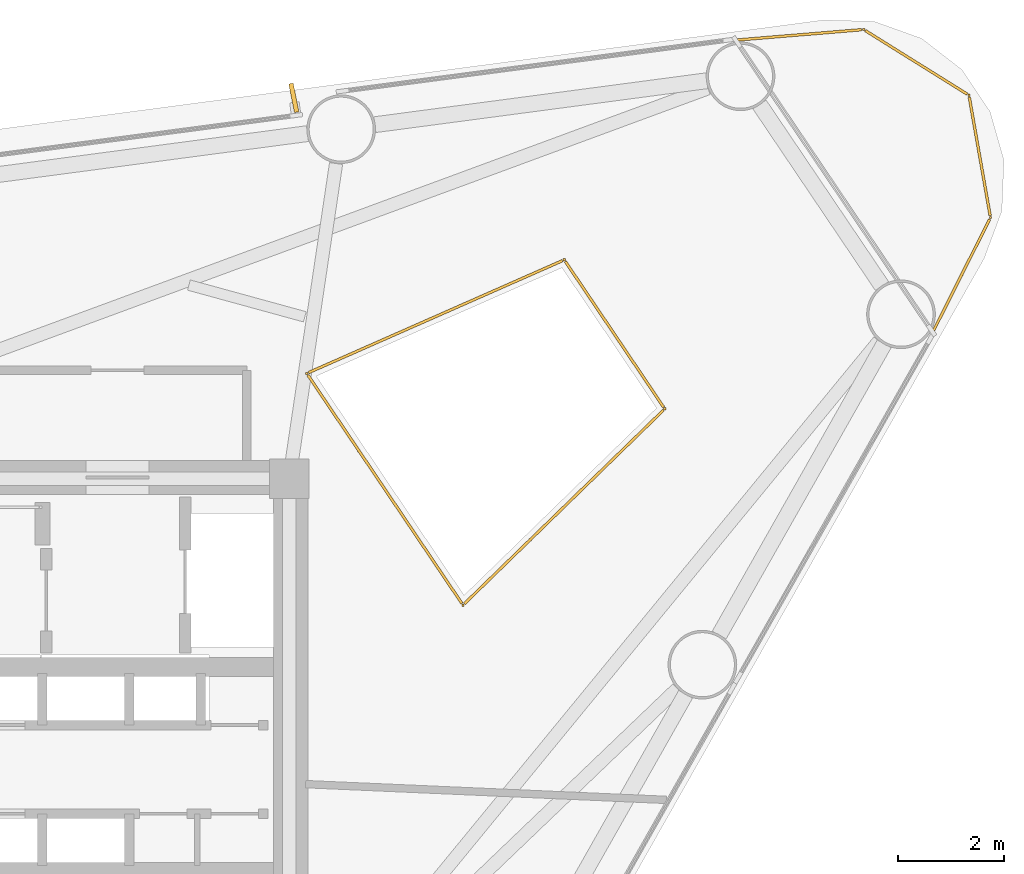
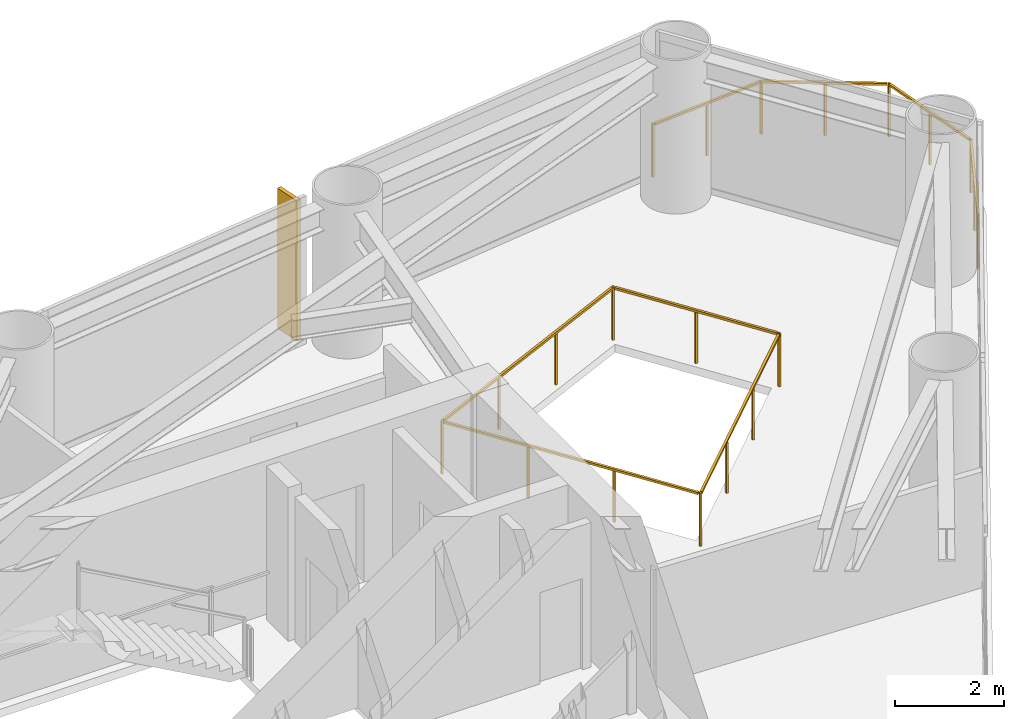
# One storey, part 9 of 9: 2 railings, 1 shading device.
"""IFC4 building model written with IfcOpenShell, lengths in metres."""

from ifc_helpers import new_model, si_unit, direction, frame, origin, origin_2d, place, context, subcontext, project, spatial, rectangle, extrude, source, transform, mapped, material, material_profile, profile_set, type_object, element, save


model = new_model("IFC4")

# Units and contexts
model_context = context("Model", 3, precision=1e-05, world=origin(), true_north=direction((0.0, 1.0)))
body_context = subcontext(model_context, "Body", "Model", "MODEL_VIEW")
ifc_project = project(units=[si_unit("LENGTHUNIT", "METRE"), si_unit("AREAUNIT", "SQUARE_METRE"), si_unit("VOLUMEUNIT", "CUBIC_METRE"), si_unit("PLANEANGLEUNIT", "RADIAN"), si_unit("MASSUNIT", "GRAM", prefix="KILO")], contexts=[model_context])

# Site, building, storey
site_placement = place(None, origin())
site = spatial("IfcSite", under=ifc_project, at=site_placement, CompositionType="ELEMENT")
building_placement = place(site_placement, origin())
building = spatial("IfcBuilding", under=site, at=building_placement, Name="Yunling Apex Tower", CompositionType="ELEMENT")
storey_placement = place(building_placement, frame((0.0, 0.0, 176.0)))
storey = spatial("IfcBuildingStorey", under=building, at=storey_placement, Name="L43", CompositionType="ELEMENT", Elevation=176.0)

# Railings
ifc_material = material(Name="Bronze anodised aluminium", Category="aluminium")
railing_type = type_object("IfcRailingType", Name="RL-BAL-1200", PredefinedType="BALUSTRADE", material=ifc_material)
railing_1_placement = place(storey_placement, frame((14.496337890625, 13.798095703125, 0.0)))
element("IfcRailing", 1, at=railing_1_placement, inside=storey, type_object=railing_type, Name="RL-CRNSILL-L43-1", PredefinedType="BALUSTRADE", context=body_context, shape_type="SweptSolid", body=[
    extrude(rectangle(XDim=0.0439453125, YDim=0.0439453125, at=origin_2d()), origin(), (0.0, 0.0, 1.0), 1.199951171875),
    extrude(rectangle(XDim=0.0439453125, YDim=0.0439453125, at=origin_2d()), frame((2.421142578125, 0.2001953125, 0.0)), (0.0, 0.0, 1.0), 1.199951171875),
    extrude(rectangle(XDim=0.050048828125, YDim=0.050048828125, at=origin_2d()), frame((0.0380859375, 0.003173828125, 1.1748046875), z_axis=(0.99659891826, 0.082405073407, 0.0), x_axis=(-0.082405073407, 0.99659891826, 0.0)), (0.0, 0.0, 1.0), 2.352783203125),
    extrude(rectangle(XDim=0.0439453125, YDim=0.0439453125, at=origin_2d()), frame((1.21044921875, 0.10009765625, 0.0)), (0.0, 0.0, 1.0), 1.14599609375),
    extrude(rectangle(XDim=0.0439453125, YDim=0.0439453125, at=origin_2d()), frame((4.412841796875, -1.043701171875, 0.0)), (0.0, 0.0, 1.0), 1.199951171875),
    extrude(rectangle(XDim=0.050048828125, YDim=0.050048828125, at=origin_2d()), frame((2.45361328125, 0.179931640625, 1.1748046875), z_axis=(0.84817348515, -0.52971854705, 0.0), x_axis=(0.52971854705, 0.84817348515, 0.0)), (0.0, 0.0, 1.0), 2.271484375),
    extrude(rectangle(XDim=0.0439453125, YDim=0.0439453125, at=origin_2d()), frame((3.4169921875, -0.421875, 0.0)), (0.0, 0.0, 1.0), 1.14599609375),
    extrude(rectangle(XDim=0.0439453125, YDim=0.0439453125, at=origin_2d()), frame((4.820068359375, -3.356201171875, 0.0)), (0.0, 0.0, 1.0), 1.199951171875),
    extrude(rectangle(XDim=0.050048828125, YDim=0.050048828125, at=origin_2d()), frame((4.41943359375, -1.08154296875, 1.1748046875), z_axis=(0.173429436748, -0.984846297891, 0.0), x_axis=(0.984846297891, 0.173429436748, 0.0)), (0.0, 0.0, 1.0), 2.271484375),
    extrude(rectangle(XDim=0.0439453125, YDim=0.0439453125, at=origin_2d()), frame((4.616455078125, -2.199951171875, 0.0)), (0.0, 0.0, 1.0), 1.14599609375),
    extrude(rectangle(XDim=0.0439453125, YDim=0.0439453125, at=origin_2d()), frame((3.7275390625, -5.526123046875, 0.0)), (0.0, 0.0, 1.0), 1.199951171875),
    extrude(rectangle(XDim=0.050048828125, YDim=0.050048828125, at=origin_2d()), frame((4.802734375, -3.390380859375, 1.1748046875), z_axis=(-0.449704074189, -0.893177611485, 0.0), x_axis=(0.893177611485, -0.449704074189, 0.0)), (0.0, 0.0, 1.0), 2.352783203125),
    extrude(rectangle(XDim=0.0439453125, YDim=0.0439453125, at=origin_2d()), frame((4.27392578125, -4.441162109375, 0.0)), (0.0, 0.0, 1.0), 1.14599609375),
])
railing_2_placement = place(storey_placement, frame((6.381103515625, 7.49267578125, 0.0)))
element("IfcRailing", 2, at=railing_2_placement, inside=storey, type_object=railing_type, Name="RL-TATR-L43", PredefinedType="BALUSTRADE", context=body_context, shape_type="SweptSolid", body=[
    extrude(rectangle(XDim=0.0439453125, YDim=0.0439453125, at=origin_2d()), origin(), (0.0, 0.0, 1.0), 1.199951171875),
    extrude(rectangle(XDim=0.0439453125, YDim=0.0439453125, at=origin_2d()), frame((4.87158203125, 2.1484375, 0.0)), (0.0, 0.0, 1.0), 1.199951171875),
    extrude(rectangle(XDim=0.050048828125, YDim=0.050048828125, at=origin_2d()), frame((0.03515625, 0.015380859375, 1.1748046875), z_axis=(0.914972578992, 0.403516021606, 0.0), x_axis=(-0.403516021606, 0.914972578992, 0.0)), (0.0, 0.0, 1.0), 5.24755859375),
    extrude(rectangle(XDim=0.0439453125, YDim=0.0439453125, at=origin_2d()), frame((1.623779296875, 0.716064453125, 0.0)), (0.0, 0.0, 1.0), 1.14599609375),
    extrude(rectangle(XDim=0.0439453125, YDim=0.0439453125, at=origin_2d()), frame((3.247802734375, 1.432373046875, 0.0)), (0.0, 0.0, 1.0), 1.14599609375),
    extrude(rectangle(XDim=0.0439453125, YDim=0.0439453125, at=origin_2d()), frame((6.773193359375, -0.6708984375, 0.0)), (0.0, 0.0, 1.0), 1.199951171875),
    extrude(rectangle(XDim=0.050048828125, YDim=0.050048828125, at=origin_2d()), frame((4.89306640625, 2.11669921875, 1.1748046875), z_axis=(0.559181833343, -0.829045039343, 0.0), x_axis=(0.829045039343, 0.559181833343, 0.0)), (0.0, 0.0, 1.0), 3.323974609375),
    extrude(rectangle(XDim=0.0439453125, YDim=0.0439453125, at=origin_2d()), frame((5.822265625, 0.73876953125, 0.0)), (0.0, 0.0, 1.0), 1.14599609375),
    extrude(rectangle(XDim=0.0439453125, YDim=0.0439453125, at=origin_2d()), frame((2.956298828125, -4.383056640625, 0.0)), (0.0, 0.0, 1.0), 1.199951171875),
    extrude(rectangle(XDim=0.050048828125, YDim=0.050048828125, at=origin_2d()), frame((6.74560546875, -0.697509765625, 1.1748046875), z_axis=(-0.71687395367, -0.697202792987, 0.0), x_axis=(0.697202792987, -0.71687395367, 0.0)), (0.0, 0.0, 1.0), 5.247802734375),
    extrude(rectangle(XDim=0.0439453125, YDim=0.0439453125, at=origin_2d()), frame((5.5009765625, -1.908203125, 0.0)), (0.0, 0.0, 1.0), 1.14599609375),
    extrude(rectangle(XDim=0.0439453125, YDim=0.0439453125, at=origin_2d()), frame((4.228515625, -3.145751953125, 0.0)), (0.0, 0.0, 1.0), 1.14599609375),
    extrude(rectangle(XDim=0.050048828125, YDim=0.050048828125, at=origin_2d()), frame((2.934814453125, -4.351318359375, 1.1748046875), z_axis=(-0.559178576396, 0.829047236109, 0.0), x_axis=(-0.829047236109, -0.559178576396, 0.0)), (0.0, 0.0, 1.0), 5.210205078125),
    extrude(rectangle(XDim=0.0439453125, YDim=0.0439453125, at=origin_2d()), frame((1.970947265625, -2.922119140625, 0.0)), (0.0, 0.0, 1.0), 1.14599609375),
    extrude(rectangle(XDim=0.0439453125, YDim=0.0439453125, at=origin_2d()), frame((0.9853515625, -1.4609375, 0.0)), (0.0, 0.0, 1.0), 1.14599609375),
])

# Shading device
ifc_material_profile = material_profile(ifc_material, rectangle(XDim=0.0849609375, YDim=0.550048828125, at=origin_2d()))
ifc_profile_set = profile_set([ifc_material_profile], Name="Bronze anodised aluminium")
shading_device_type = type_object("IfcShadingDeviceType", Name="FN-BRZ-3", PredefinedType="USERDEFINED", material=ifc_profile_set)
shared_shape = source(origin(), body_context, "Body", "SweptSolid", [
    extrude(rectangle(XDim=0.0849609375, YDim=0.550048828125, at=origin_2d()), origin(), (0.0, 0.0, 1.0), 3.14990234375),
])
shading_device_placement = place(storey_placement, frame((6.13671875, 12.706787109375, 0.06005859375), z_axis=(0.0, 0.0, 1.0), x_axis=(-0.980648842665, -0.195774991714, 0.0)))
element("IfcShadingDevice", 3, at=shading_device_placement, inside=storey, type_object=shading_device_type, Name="CW-L43-F2-B2-FIN-01", ObjectType="FIN", PredefinedType="USERDEFINED", context=body_context, shape_type="MappedRepresentation", body=[
    mapped(shared_shape, transform((0.0, 0.0, 0.0), scale=1.0)),
])

save(model, "model.ifc")
